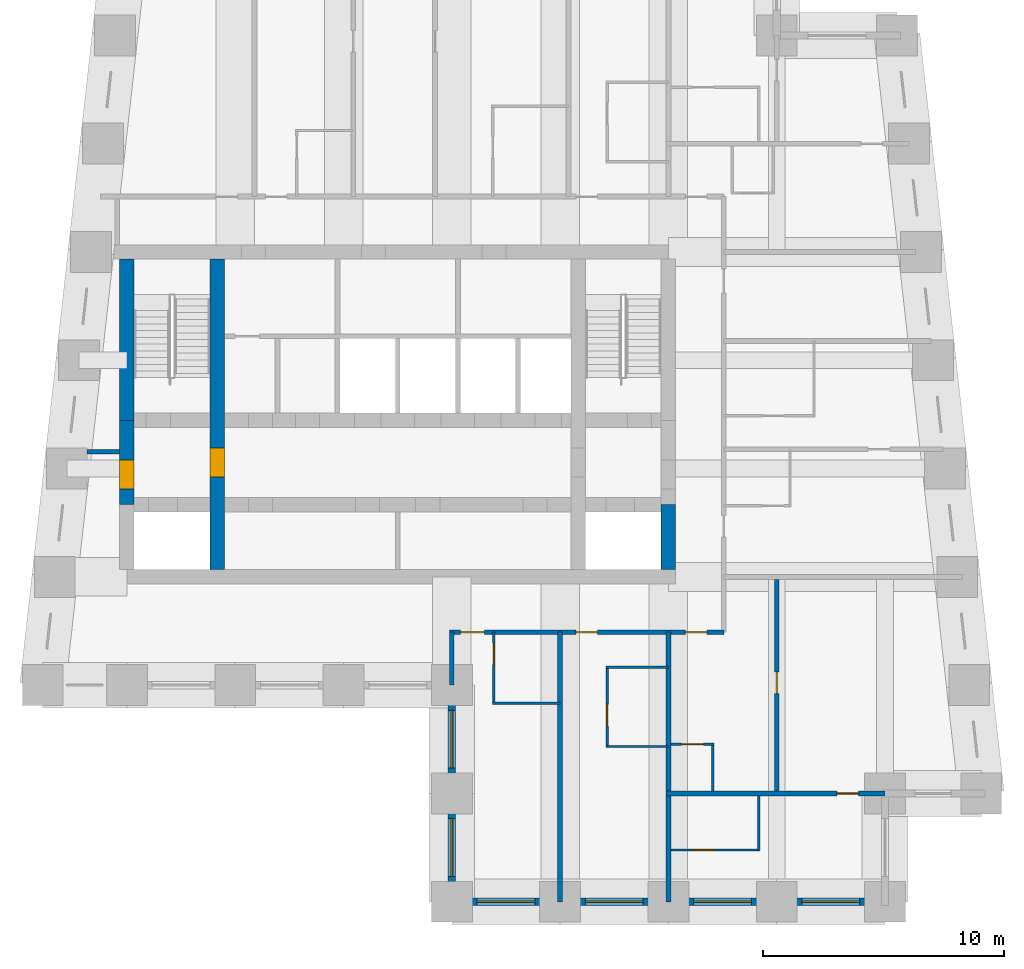
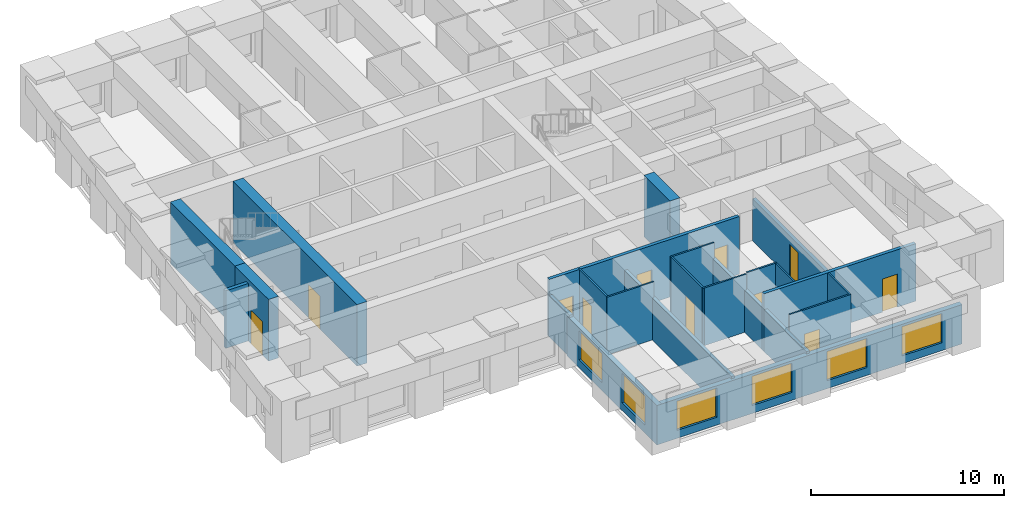
# One storey, part 2 of 7: 22 walls, 11 doors, 6 windows, 17 openings.
"""IFC4 building model written with IfcOpenShell, lengths in metres."""

from ifc_helpers import new_model, si_unit, direction, frame, frame_2d, origin, place, context, subcontext, project, spatial, rectangle, extrude, material, layer, layer_set, type_object, element, fill, save


model = new_model("IFC4")

# Units and contexts
model_context = context("Model", 3, precision=1e-05, world=origin(), true_north=direction((0.0, 1.0)))
body_context = subcontext(model_context, "Body", "Model", "MODEL_VIEW")
ifc_project = project(units=[si_unit("LENGTHUNIT", "METRE"), si_unit("AREAUNIT", "SQUARE_METRE"), si_unit("VOLUMEUNIT", "CUBIC_METRE"), si_unit("PLANEANGLEUNIT", "RADIAN"), si_unit("MASSUNIT", "GRAM", prefix="KILO")], contexts=[model_context])

# Site, building, storey
site_placement = place(None, origin())
site = spatial("IfcSite", under=ifc_project, at=site_placement, CompositionType="ELEMENT")
building_placement = place(site_placement, origin())
building = spatial("IfcBuilding", under=site, at=building_placement, Name="Kilele Tower Hotel", CompositionType="ELEMENT")
storey_placement = place(building_placement, frame((0.0, 0.0, 229.10009765625)))
storey = spatial("IfcBuildingStorey", under=building, at=storey_placement, Name="L59", CompositionType="ELEMENT", Elevation=229.10009765625)

# Wall
ifc_material_1 = material(Name="Moisture-resistant board")
ifc_layer_1 = layer(ifc_material_1, 0.10009765625)
ifc_layer_set_1 = layer_set([ifc_layer_1], Name="Moisture-resistant board")
wall_type_1 = type_object("IfcWallType", Name="Bathroom partition 100", PredefinedType="PLUMBINGWALL", material=ifc_layer_set_1)
wall_1_placement = place(storey_placement, frame((28.699951171875, 8.25, 0.0), z_axis=(0.0, 0.0, 1.0), x_axis=(1.0, 0.0, 0.0)))
element("IfcWall", 1, at=wall_1_placement, inside=storey, type_object=wall_type_1, Name="Bathroom partition 100 L59", PredefinedType="PLUMBINGWALL", context=body_context, shape_type="SweptSolid", body=[
    extrude(rectangle(XDim=2.800048828125, YDim=0.10009765625, at=frame_2d((1.39990234375, 0.0))), origin(), (0.0, 0.0, 1.0), 3.64990234375),
])

# Wall, opening, door
wall_2_placement = place(storey_placement, frame((28.75, 11.199951171875, 0.0), z_axis=(0.0, 0.0, 1.0), x_axis=(0.0, -1.0, 0.0)))
wall_2 = element("IfcWall", 2, at=wall_2_placement, inside=storey, type_object=wall_type_1, Name="Bathroom partition 100 L59", PredefinedType="PLUMBINGWALL", context=body_context, shape_type="SweptSolid", body=[
    extrude(rectangle(XDim=3.0, YDim=0.10009765625, at=frame_2d((1.5, 0.0))), origin(), (0.0, 0.0, 1.0), 3.64990234375),
])
opening_1_placement = place(wall_2_placement, frame((1.349853515625, 0.0, 0.0), z_axis=(0.0, 0.0, 1.0), x_axis=(-1.0, 0.0, 0.0)))
opening_1 = element("IfcOpeningElement", 3, at=opening_1_placement, cuts=wall_2, Name="Opening D2A", PredefinedType="OPENING", context=body_context, shape_type="SweptSolid", body=[
    extrude(rectangle(XDim=0.89990234375, YDim=2.10009765625, at=frame_2d((0.449951171875, 1.050048828125))), frame((0.0, 0.06005859375, 0.0), z_axis=(0.0, -1.0, 0.0), x_axis=(1.0, 0.0, 0.0)), (0.0, 0.0, 1.0), 0.1201171875),
])
ifc_material_2 = material(Name="Timber door leaf in hardwood frame", Category="wood")
door_type_1 = type_object("IfcDoorType", Name="Bathroom door 900", OperationType="SINGLE_SWING_LEFT", PredefinedType="DOOR", material=ifc_material_2)
door_1_placement = place(opening_1_placement, origin())
door_1 = element("IfcDoor", 4, at=door_1_placement, inside=storey, type_object=door_type_1, Name="Bathroom door 5902B", OperationType="SINGLE_SWING_RIGHT", OverallHeight=2.10009765625, OverallWidth=0.89990234375, PredefinedType="DOOR", context=body_context, shape_type="SweptSolid", body=[
    extrude(rectangle(XDim=0.89990234375, YDim=2.10009765625, at=frame_2d((0.449951171875, 1.050048828125))), frame((0.0, 0.02490234375, 0.0), z_axis=(0.0, -1.0, 0.0), x_axis=(1.0, 0.0, 0.0)), (0.0, 0.0, 1.0), 0.050048828125),
])
fill(opening_1, door_1)

# Walls
for number, where, z_axis, x_axis, name in (
    (5, (33.39990234375, 9.75, 0.0), (0.0, 0.0, 1.0), (1.0, 0.0, 0.0), "Bathroom partition 100 L59"),
    (6, (33.39990234375, 6.449951171875, 0.0), (0.0, 0.0, 1.0), (1.0, 0.0, 0.0), "Bathroom partition 100 L59"),
):
    element("IfcWall", number, at=place(storey_placement, frame(where, z_axis=z_axis, x_axis=x_axis)), inside=storey, type_object=wall_type_1, Name=name, PredefinedType="PLUMBINGWALL", context=body_context, shape_type="SweptSolid", body=[
        extrude(rectangle(XDim=2.60009765625, YDim=0.10009765625, at=frame_2d((1.300048828125, 0.0))), origin(), (0.0, 0.0, 1.0), 3.64990234375),
    ])

# Wall, opening, door
wall_3_placement = place(storey_placement, frame((33.449951171875, 9.800048828125, 0.0), z_axis=(0.0, 0.0, 1.0), x_axis=(0.0, -1.0, 0.0)))
wall_3 = element("IfcWall", 7, at=wall_3_placement, inside=storey, type_object=wall_type_1, Name="Bathroom partition 100 L59", PredefinedType="PLUMBINGWALL", context=body_context, shape_type="SweptSolid", body=[
    extrude(rectangle(XDim=3.400146484375, YDim=0.10009765625, at=frame_2d((1.7001953125, 0.0))), origin(), (0.0, 0.0, 1.0), 3.64990234375),
])
opening_2_placement = place(wall_3_placement, frame((2.5, 0.0, 0.0), z_axis=(0.0, 0.0, 1.0), x_axis=(-1.0, 0.0, 0.0)))
opening_2 = element("IfcOpeningElement", 8, at=opening_2_placement, cuts=wall_3, Name="Opening D2A", PredefinedType="OPENING", context=body_context, shape_type="SweptSolid", body=[
    extrude(rectangle(XDim=0.89990234375, YDim=2.10009765625, at=frame_2d((0.449951171875, 1.050048828125))), frame((0.0, 0.06005859375, 0.0), z_axis=(0.0, -1.0, 0.0), x_axis=(1.0, 0.0, 0.0)), (0.0, 0.0, 1.0), 0.1201171875),
])
door_2_placement = place(opening_2_placement, origin())
door_2 = element("IfcDoor", 9, at=door_2_placement, inside=storey, type_object=door_type_1, Name="Bathroom door 5903B", OperationType="SINGLE_SWING_LEFT", OverallHeight=2.10009765625, OverallWidth=0.89990234375, PredefinedType="DOOR", context=body_context, shape_type="SweptSolid", body=[
    extrude(rectangle(XDim=0.89990234375, YDim=2.10009765625, at=frame_2d((0.449951171875, 1.050048828125))), frame((0.0, 0.02490234375, 0.0), z_axis=(0.0, -1.0, 0.0), x_axis=(1.0, 0.0, 0.0)), (0.0, 0.0, 1.0), 0.050048828125),
])
fill(opening_2, door_2)

# Wall
wall_4_placement = place(storey_placement, frame((37.85009765625, 4.60009765625, 0.0), z_axis=(0.0, 0.0, 1.0), x_axis=(0.0, 1.0, 0.0)))
element("IfcWall", 10, at=wall_4_placement, inside=storey, type_object=wall_type_1, Name="Bathroom partition 100 L59", PredefinedType="PLUMBINGWALL", context=body_context, shape_type="SweptSolid", body=[
    extrude(rectangle(XDim=2.0, YDim=0.10009765625, at=frame_2d((1.0, 0.0))), origin(), (0.0, 0.0, 1.0), 3.64990234375),
])

# Wall, opening, door
wall_5_placement = place(storey_placement, frame((36.10009765625, 6.550048828125, 0.0), z_axis=(0.0, 0.0, 1.0), x_axis=(1.0, 0.0, 0.0)))
wall_5 = element("IfcWall", 11, at=wall_5_placement, inside=storey, type_object=wall_type_1, Name="Bathroom partition 100 L59", PredefinedType="PLUMBINGWALL", context=body_context, shape_type="SweptSolid", body=[
    extrude(rectangle(XDim=1.7998046875, YDim=0.10009765625, at=frame_2d((0.89990234375, 0.0))), origin(), (0.0, 0.0, 1.0), 3.64990234375),
])
opening_3_placement = place(wall_5_placement, frame((0.449951171875, 0.0, 0.0)))
opening_3 = element("IfcOpeningElement", 12, at=opening_3_placement, cuts=wall_5, Name="Opening D2A", PredefinedType="OPENING", context=body_context, shape_type="SweptSolid", body=[
    extrude(rectangle(XDim=0.89990234375, YDim=2.10009765625, at=frame_2d((0.449951171875, 1.050048828125))), frame((0.0, 0.06005859375, 0.0), z_axis=(0.0, -1.0, 0.0), x_axis=(1.0, 0.0, 0.0)), (0.0, 0.0, 1.0), 0.1201171875),
])
door_3_placement = place(opening_3_placement, origin())
door_3 = element("IfcDoor", 13, at=door_3_placement, inside=storey, type_object=door_type_1, Name="Bathroom door 5912P", OperationType="SINGLE_SWING_LEFT", OverallHeight=2.10009765625, OverallWidth=0.89990234375, PredefinedType="DOOR", context=body_context, shape_type="SweptSolid", body=[
    extrude(rectangle(XDim=0.89990234375, YDim=2.10009765625, at=frame_2d((0.449951171875, 1.050048828125))), frame((0.0, 0.02490234375, 0.0), z_axis=(0.0, -1.0, 0.0), x_axis=(1.0, 0.0, 0.0)), (0.0, 0.0, 1.0), 0.050048828125),
])
fill(opening_3, door_3)

# Wall
wall_6_placement = place(storey_placement, frame((39.75, 4.39990234375, 0.0), z_axis=(0.0, 0.0, 1.0), x_axis=(0.0, -1.0, 0.0)))
element("IfcWall", 14, at=wall_6_placement, inside=storey, type_object=wall_type_1, Name="Bathroom partition 100 L59", PredefinedType="PLUMBINGWALL", context=body_context, shape_type="SweptSolid", body=[
    extrude(rectangle(XDim=2.2998046875, YDim=0.10009765625, at=frame_2d((1.14990234375, 0.0))), origin(), (0.0, 0.0, 1.0), 3.64990234375),
])

# Wall, opening, door
wall_7_placement = place(storey_placement, frame((36.10009765625, 2.14990234375, 0.0), z_axis=(0.0, 0.0, 1.0), x_axis=(1.0, 0.0, 0.0)))
wall_7 = element("IfcWall", 15, at=wall_7_placement, inside=storey, type_object=wall_type_1, Name="Bathroom partition 100 L59", PredefinedType="PLUMBINGWALL", context=body_context, shape_type="SweptSolid", body=[
    extrude(rectangle(XDim=3.699951171875, YDim=0.10009765625, at=frame_2d((1.85009765625, 0.0))), origin(), (0.0, 0.0, 1.0), 3.64990234375),
])
opening_4_placement = place(wall_7_placement, frame((1.7998046875, 0.0, 0.0), z_axis=(0.0, 0.0, 1.0), x_axis=(-1.0, 0.0, 0.0)))
opening_4 = element("IfcOpeningElement", 16, at=opening_4_placement, cuts=wall_7, Name="Opening D2A", PredefinedType="OPENING", context=body_context, shape_type="SweptSolid", body=[
    extrude(rectangle(XDim=0.89990234375, YDim=2.10009765625, at=frame_2d((0.449951171875, 1.050048828125))), frame((0.0, 0.06005859375, 0.0), z_axis=(0.0, -1.0, 0.0), x_axis=(1.0, 0.0, 0.0)), (0.0, 0.0, 1.0), 0.1201171875),
])
door_4_placement = place(opening_4_placement, origin())
door_4 = element("IfcDoor", 17, at=door_4_placement, inside=storey, type_object=door_type_1, Name="Bathroom door 5914B", OperationType="SINGLE_SWING_RIGHT", OverallHeight=2.10009765625, OverallWidth=0.89990234375, PredefinedType="DOOR", context=body_context, shape_type="SweptSolid", body=[
    extrude(rectangle(XDim=0.89990234375, YDim=2.10009765625, at=frame_2d((0.449951171875, 1.050048828125))), frame((0.0, 0.02490234375, 0.0), z_axis=(0.0, -1.0, 0.0), x_axis=(1.0, 0.0, 0.0)), (0.0, 0.0, 1.0), 0.050048828125),
])
fill(opening_4, door_4)

ifc_material_3 = material(Name="Concrete C60/75", Category="concrete")
ifc_layer_2 = layer(ifc_material_3, 0.60009765625)
ifc_layer_set_2 = layer_set([ifc_layer_2], Name="Concrete C60/75")
wall_type_2 = type_object("IfcWallType", Name="Core wall 600 C60/75", PredefinedType="SHEAR", material=ifc_layer_set_2)
wall_8_placement = place(storey_placement, frame((17.25, 13.800048828125, 0.0), z_axis=(0.0, 0.0, 1.0), x_axis=(0.0, 1.0, 0.0)))
wall_8 = element("IfcWall", 18, at=wall_8_placement, inside=storey, type_object=wall_type_2, Name="Core wall IW L59", PredefinedType="SHEAR", context=body_context, shape_type="SweptSolid", body=[
    extrude(rectangle(XDim=12.89990234375, YDim=0.60009765625, at=frame_2d((6.449951171875, 0.0))), origin(), (0.0, 0.0, 1.0), 3.89990234375),
])
opening_5_placement = place(wall_8_placement, frame((3.85009765625, 0.0, 0.0)))
opening_5 = element("IfcOpeningElement", 19, at=opening_5_placement, cuts=wall_8, Name="Opening D4", PredefinedType="OPENING", context=body_context, shape_type="SweptSolid", body=[
    extrude(rectangle(XDim=1.199951171875, YDim=2.10009765625, at=frame_2d((0.60009765625, 1.050048828125))), frame((0.0, 0.31005859375, 0.0), z_axis=(0.0, -1.0, 0.0), x_axis=(1.0, 0.0, 0.0)), (0.0, 0.0, 1.0), 0.6201171875),
])
ifc_material_4 = material(Name="Timber door leaf in hardwood frame", Category="wood")
door_type_2 = type_object("IfcDoorType", Name="Firefighting lobby door 1200", OperationType="SINGLE_SWING_LEFT", PredefinedType="DOOR", material=ifc_material_4)
door_5_placement = place(opening_5_placement, origin())
door_5 = element("IfcDoor", 20, at=door_5_placement, inside=storey, type_object=door_type_2, Name="Lobby door L59", OperationType="SINGLE_SWING_LEFT", OverallHeight=2.10009765625, OverallWidth=1.199951171875, PredefinedType="DOOR", context=body_context, shape_type="SweptSolid", body=[
    extrude(rectangle(XDim=1.199951171875, YDim=2.10009765625, at=frame_2d((0.60009765625, 1.050048828125))), frame((0.0, 0.2998046875, 0.0), z_axis=(0.0, -1.0, 0.0), x_axis=(1.0, 0.0, 0.0)), (0.0, 0.0, 1.0), 0.599609375),
])
fill(opening_5, door_5)

# Wall
wall_9_placement = place(storey_placement, frame((13.5, 26.699951171875, 0.0), z_axis=(0.0, 0.0, 1.0), x_axis=(0.0, -1.0, 0.0)))
element("IfcWall", 21, at=wall_9_placement, inside=storey, type_object=wall_type_2, Name="Core wall W1 L59", PredefinedType="SHEAR", context=body_context, shape_type="SweptSolid", body=[
    extrude(rectangle(XDim=6.699951171875, YDim=0.60009765625, at=frame_2d((3.35009765625, 0.0))), origin(), (0.0, 0.0, 1.0), 3.89990234375),
])

# Wall, opening, door
wall_10_placement = place(storey_placement, frame((13.5, 20.0, 0.0), z_axis=(0.0, 0.0, 1.0), x_axis=(0.0, -1.0, 0.0)))
wall_10 = element("IfcWall", 22, at=wall_10_placement, inside=storey, type_object=wall_type_2, Name="Core wall W2 L59", PredefinedType="SHEAR", context=body_context, shape_type="SweptSolid", body=[
    extrude(rectangle(XDim=3.5, YDim=0.60009765625, at=frame_2d((1.75, 0.0))), origin(), (0.0, 0.0, 1.0), 3.89990234375),
])
opening_6_placement = place(wall_10_placement, frame((1.64990234375, 0.0, 0.0)))
opening_6 = element("IfcOpeningElement", 23, at=opening_6_placement, cuts=wall_10, Name="Opening D4", PredefinedType="OPENING", context=body_context, shape_type="SweptSolid", body=[
    extrude(rectangle(XDim=1.199951171875, YDim=2.10009765625, at=frame_2d((0.60009765625, 1.050048828125))), frame((0.0, 0.31005859375, 0.0), z_axis=(0.0, -1.0, 0.0), x_axis=(1.0, 0.0, 0.0)), (0.0, 0.0, 1.0), 0.6201171875),
])
door_6_placement = place(opening_6_placement, origin())
door_6 = element("IfcDoor", 24, at=door_6_placement, inside=storey, type_object=door_type_2, Name="Lobby door L59", OperationType="SINGLE_SWING_RIGHT", OverallHeight=2.10009765625, OverallWidth=1.199951171875, PredefinedType="DOOR", context=body_context, shape_type="SweptSolid", body=[
    extrude(rectangle(XDim=1.199951171875, YDim=2.10009765625, at=frame_2d((0.60009765625, 1.050048828125))), frame((0.0, 0.2998046875, 0.0), z_axis=(0.0, -1.0, 0.0), x_axis=(1.0, 0.0, 0.0)), (0.0, 0.0, 1.0), 0.599609375),
])
fill(opening_6, door_6)

# Wall
wall_11_placement = place(storey_placement, frame((36.0, 13.800048828125, 0.0), z_axis=(0.0, 0.0, 1.0), x_axis=(0.0, 1.0, 0.0)))
element("IfcWall", 25, at=wall_11_placement, inside=storey, type_object=wall_type_2, Name="Core wall E1 L59", PredefinedType="SHEAR", context=body_context, shape_type="SweptSolid", body=[
    extrude(rectangle(XDim=2.699951171875, YDim=0.60009765625, at=frame_2d((1.35009765625, 0.0))), origin(), (0.0, 0.0, 1.0), 3.89990234375),
])

# Wall, openings, doors
ifc_material_5 = material(Name="Blockwork, plastered both sides", Category="masonry")
ifc_layer_3 = layer(ifc_material_5, 0.199951171875)
ifc_layer_set_3 = layer_set([ifc_layer_3], Name="Blockwork, plastered both sides")
wall_type_3 = type_object("IfcWallType", Name="Corridor wall 200", PredefinedType="PARTITIONING", material=ifc_layer_set_3)
wall_12_placement = place(storey_placement, frame((26.89990234375, 11.199951171875, 0.0), z_axis=(0.0, 0.0, 1.0), x_axis=(1.0, 0.0, 0.0)))
wall_12 = element("IfcWall", 26, at=wall_12_placement, inside=storey, type_object=wall_type_3, Name="Corridor wall 200 L59", PredefinedType="PARTITIONING", context=body_context, shape_type="SweptSolid", body=[
    extrude(rectangle(XDim=11.400146484375, YDim=0.199951171875, at=frame_2d((5.7001953125, 0.0))), origin(), (0.0, 0.0, 1.0), 3.64990234375),
])
opening_7_placement = place(wall_12_placement, frame((1.449951171875, 0.0, 0.0), z_axis=(0.0, 0.0, 1.0), x_axis=(-1.0, 0.0, 0.0)))
opening_7 = element("IfcOpeningElement", 27, at=opening_7_placement, cuts=wall_12, Name="Opening D1A", PredefinedType="OPENING", context=body_context, shape_type="SweptSolid", body=[
    extrude(rectangle(XDim=1.0, YDim=2.10009765625, at=frame_2d((0.5, 1.050048828125))), frame((0.0, 0.10986328125, 0.0), z_axis=(0.0, -1.0, 0.0), x_axis=(1.0, 0.0, 0.0)), (0.0, 0.0, 1.0), 0.219970703125),
])
opening_8_placement = place(wall_12_placement, frame((6.14990234375, 0.0, 0.0), z_axis=(0.0, 0.0, 1.0), x_axis=(-1.0, 0.0, 0.0)))
opening_8 = element("IfcOpeningElement", 28, at=opening_8_placement, cuts=wall_12, Name="Opening D1", PredefinedType="OPENING", context=body_context, shape_type="SweptSolid", body=[
    extrude(rectangle(XDim=0.89990234375, YDim=2.10009765625, at=frame_2d((0.449951171875, 1.050048828125))), frame((0.0, 0.10986328125, 0.0), z_axis=(0.0, -1.0, 0.0), x_axis=(1.0, 0.0, 0.0)), (0.0, 0.0, 1.0), 0.219970703125),
])
opening_9_placement = place(wall_12_placement, frame((10.699951171875, 0.0, 0.0), z_axis=(0.0, 0.0, 1.0), x_axis=(-1.0, 0.0, 0.0)))
opening_9 = element("IfcOpeningElement", 29, at=opening_9_placement, cuts=wall_12, Name="Opening D1", PredefinedType="OPENING", context=body_context, shape_type="SweptSolid", body=[
    extrude(rectangle(XDim=0.89990234375, YDim=2.10009765625, at=frame_2d((0.449951171875, 1.050048828125))), frame((0.0, 0.10986328125, 0.0), z_axis=(0.0, -1.0, 0.0), x_axis=(1.0, 0.0, 0.0)), (0.0, 0.0, 1.0), 0.219970703125),
])
ifc_material_6 = material(Name="Timber door leaf in hardwood frame", Category="wood")
door_type_3 = type_object("IfcDoorType", Name="Guest room entrance door 1000", OperationType="SINGLE_SWING_LEFT", PredefinedType="DOOR", material=ifc_material_6)
door_7_placement = place(opening_7_placement, origin())
door_7 = element("IfcDoor", 30, at=door_7_placement, inside=storey, type_object=door_type_3, Name="Room entrance 5902", OperationType="SINGLE_SWING_RIGHT", OverallHeight=2.10009765625, OverallWidth=1.0, PredefinedType="DOOR", context=body_context, shape_type="SweptSolid", body=[
    extrude(rectangle(XDim=1.0, YDim=2.10009765625, at=frame_2d((0.5, 1.050048828125))), frame((0.0, 0.02490234375, 0.0), z_axis=(0.0, -1.0, 0.0), x_axis=(1.0, 0.0, 0.0)), (0.0, 0.0, 1.0), 0.050048828125),
])
fill(opening_7, door_7)
ifc_material_7 = material(Name="Timber door leaf in hardwood frame", Category="wood")
door_type_4 = type_object("IfcDoorType", Name="Guest room entrance door 900", OperationType="SINGLE_SWING_LEFT", PredefinedType="DOOR", material=ifc_material_7)
door_8_placement = place(opening_8_placement, origin())
door_8 = element("IfcDoor", 31, at=door_8_placement, inside=storey, type_object=door_type_4, Name="Room entrance 5903", OperationType="SINGLE_SWING_RIGHT", OverallHeight=2.10009765625, OverallWidth=0.89990234375, PredefinedType="DOOR", context=body_context, shape_type="SweptSolid", body=[
    extrude(rectangle(XDim=0.89990234375, YDim=2.10009765625, at=frame_2d((0.449951171875, 1.050048828125))), frame((0.0, 0.02490234375, 0.0), z_axis=(0.0, -1.0, 0.0), x_axis=(1.0, 0.0, 0.0)), (0.0, 0.0, 1.0), 0.050048828125),
])
fill(opening_8, door_8)
door_9_placement = place(opening_9_placement, origin())
door_9 = element("IfcDoor", 32, at=door_9_placement, inside=storey, type_object=door_type_4, Name="Room entrance 5912", OperationType="SINGLE_SWING_RIGHT", OverallHeight=2.10009765625, OverallWidth=0.89990234375, PredefinedType="DOOR", context=body_context, shape_type="SweptSolid", body=[
    extrude(rectangle(XDim=0.89990234375, YDim=2.10009765625, at=frame_2d((0.449951171875, 1.050048828125))), frame((0.0, 0.02490234375, 0.0), z_axis=(0.0, -1.0, 0.0), x_axis=(1.0, 0.0, 0.0)), (0.0, 0.0, 1.0), 0.050048828125),
])
fill(opening_9, door_9)

# Wall
ifc_material_8 = material(Name="Blockwork, plastered both sides", Category="masonry")
ifc_layer_4 = layer(ifc_material_8, 0.199951171875)
ifc_layer_set_4 = layer_set([ifc_layer_4], Name="Blockwork, plastered both sides")
wall_type_4 = type_object("IfcWallType", Name="Partition wall 200", PredefinedType="PARTITIONING", material=ifc_layer_set_4)
wall_13_placement = place(storey_placement, frame((13.199951171875, 18.699951171875, 0.0), z_axis=(0.0, 0.0, 1.0), x_axis=(-1.0, 0.0, 0.0)))
element("IfcWall", 33, at=wall_13_placement, inside=storey, type_object=wall_type_4, Name="Partition wall 200 L59", PredefinedType="PARTITIONING", context=body_context, shape_type="SweptSolid", body=[
    extrude(rectangle(XDim=1.349853515625, YDim=0.199951171875, at=frame_2d((0.6748046875, 0.0))), origin(), (0.0, 0.0, 1.0), 3.64990234375),
])

# Wall, opening, door
wall_14_placement = place(storey_placement, frame((40.5, 4.60009765625, 0.0), z_axis=(0.0, 0.0, 1.0), x_axis=(0.0, 1.0, 0.0)))
wall_14 = element("IfcWall", 34, at=wall_14_placement, inside=storey, type_object=wall_type_4, Name="Partition wall 200 L59", PredefinedType="PARTITIONING", context=body_context, shape_type="SweptSolid", body=[
    extrude(rectangle(XDim=8.7998046875, YDim=0.199951171875, at=frame_2d((4.39990234375, 0.0))), origin(), (0.0, 0.0, 1.0), 2.64990234375),
])
opening_10_placement = place(wall_14_placement, frame((4.050048828125, 0.0, 0.0)))
opening_10 = element("IfcOpeningElement", 35, at=opening_10_placement, cuts=wall_14, Name="Opening D3", PredefinedType="OPENING", context=body_context, shape_type="SweptSolid", body=[
    extrude(rectangle(XDim=0.89990234375, YDim=2.10009765625, at=frame_2d((0.449951171875, 1.050048828125))), frame((0.0, 0.10986328125, 0.0), z_axis=(0.0, -1.0, 0.0), x_axis=(1.0, 0.0, 0.0)), (0.0, 0.0, 1.0), 0.219970703125),
])
ifc_material_9 = material(Name="Timber door leaf in hardwood frame", Category="wood")
door_type_5 = type_object("IfcDoorType", Name="Suite internal door 900", OperationType="SINGLE_SWING_LEFT", PredefinedType="DOOR", material=ifc_material_9)
door_10_placement = place(opening_10_placement, origin())
door_10 = element("IfcDoor", 36, at=door_10_placement, inside=storey, type_object=door_type_5, Name="Suite door 5913", OperationType="SINGLE_SWING_RIGHT", OverallHeight=2.10009765625, OverallWidth=0.89990234375, PredefinedType="DOOR", context=body_context, shape_type="SweptSolid", body=[
    extrude(rectangle(XDim=0.89990234375, YDim=2.10009765625, at=frame_2d((0.449951171875, 1.050048828125))), frame((0.0, 0.02490234375, 0.0), z_axis=(0.0, -1.0, 0.0), x_axis=(1.0, 0.0, 0.0)), (0.0, 0.0, 1.0), 0.050048828125),
])
fill(opening_10, door_10)

# Walls
ifc_material_10 = material(Name="Blockwork, plastered both sides", Category="masonry")
ifc_layer_5 = layer(ifc_material_10, 0.199951171875)
ifc_layer_set_5 = layer_set([ifc_layer_5], Name="Blockwork, plastered both sides")
wall_type_5 = type_object("IfcWallType", Name="Party wall 200", PredefinedType="PARTITIONING", material=ifc_layer_set_5)
wall_15_placement = place(storey_placement, frame((27.0, 11.199951171875, 0.0), z_axis=(0.0, 0.0, 1.0), x_axis=(0.0, -1.0, 0.0)))
element("IfcWall", 37, at=wall_15_placement, inside=storey, type_object=wall_type_5, Name="Party wall 200 L59", PredefinedType="PARTITIONING", context=body_context, shape_type="SweptSolid", body=[
    extrude(rectangle(XDim=2.199951171875, YDim=0.199951171875, at=frame_2d((1.10009765625, 0.0))), origin(), (0.0, 0.0, 1.0), 2.64990234375),
])
for number, where, z_axis, x_axis, name in (
    (38, (31.5, 11.199951171875, 0.0), (0.0, 0.0, 1.0), (0.0, -1.0, 0.0), "Party wall 200 L59"),
    (39, (36.0, 11.199951171875, 0.0), (0.0, 0.0, 1.0), (0.0, -1.0, 0.0), "Party wall 200 L59"),
):
    element("IfcWall", number, at=place(storey_placement, frame(where, z_axis=z_axis, x_axis=x_axis)), inside=storey, type_object=wall_type_5, Name=name, PredefinedType="PARTITIONING", context=body_context, shape_type="SweptSolid", body=[
        extrude(rectangle(XDim=11.199951171875, YDim=0.199951171875, at=frame_2d((5.60009765625, 0.0))), origin(), (0.0, 0.0, 1.0), 2.64990234375),
    ])

# Wall, opening, door
wall_16_placement = place(storey_placement, frame((35.89990234375, 4.5, 0.0), z_axis=(0.0, 0.0, 1.0), x_axis=(1.0, 0.0, 0.0)))
wall_16 = element("IfcWall", 40, at=wall_16_placement, inside=storey, type_object=wall_type_5, Name="Party wall 200 L59", PredefinedType="PARTITIONING", context=body_context, shape_type="SweptSolid", body=[
    extrude(rectangle(XDim=9.10009765625, YDim=0.199951171875, at=frame_2d((4.550048828125, 0.0))), origin(), (0.0, 0.0, 1.0), 3.64990234375),
])
opening_11_placement = place(wall_16_placement, frame((7.10009765625, 0.0, 0.0)))
opening_11 = element("IfcOpeningElement", 41, at=opening_11_placement, cuts=wall_16, Name="Opening D3", PredefinedType="OPENING", context=body_context, shape_type="SweptSolid", body=[
    extrude(rectangle(XDim=0.89990234375, YDim=2.10009765625, at=frame_2d((0.449951171875, 1.050048828125))), frame((0.0, 0.10986328125, 0.0), z_axis=(0.0, -1.0, 0.0), x_axis=(1.0, 0.0, 0.0)), (0.0, 0.0, 1.0), 0.219970703125),
])
door_11_placement = place(opening_11_placement, origin())
door_11 = element("IfcDoor", 42, at=door_11_placement, inside=storey, type_object=door_type_5, Name="Suite door 5914", OperationType="SINGLE_SWING_RIGHT", OverallHeight=2.10009765625, OverallWidth=0.89990234375, PredefinedType="DOOR", context=body_context, shape_type="SweptSolid", body=[
    extrude(rectangle(XDim=0.89990234375, YDim=2.10009765625, at=frame_2d((0.449951171875, 1.050048828125))), frame((0.0, 0.02490234375, 0.0), z_axis=(0.0, -1.0, 0.0), x_axis=(1.0, 0.0, 0.0)), (0.0, 0.0, 1.0), 0.050048828125),
])
fill(opening_11, door_11)

# Wall, openings, windows
ifc_material_11 = material(Name="Concrete C40/50 precast", Category="concrete")
ifc_layer_6 = layer(ifc_material_11, 0.260009765625, Name="Precast backing", Category="LoadBearing")
ifc_material_12 = material(Name="Reconstituted stone finish", Category="masonry")
ifc_layer_7 = layer(ifc_material_12, 0.0400390625, Name="Face mix", Category="Finish")
ifc_layer_set_6 = layer_set([ifc_layer_6, ifc_layer_7], Name="Precast concrete C40/50, reconstituted stone finish")
wall_type_6 = type_object("IfcWallType", Name="Precast stone facade wall 300", PredefinedType="STANDARD", material=ifc_layer_set_6)
wall_17_placement = place(storey_placement, frame((27.0, 9.14990234375, 0.0), z_axis=(0.0, 0.0, 1.0), x_axis=(0.0, -1.0, 0.0)))
wall_17 = element("IfcWall", 43, at=wall_17_placement, inside=storey, type_object=wall_type_6, Name="Facade wall L59 edge 2", PredefinedType="STANDARD", context=body_context, shape_type="SweptSolid", body=[
    extrude(rectangle(XDim=9.2998046875, YDim=0.300048828125, at=frame_2d((4.64990234375, 0.0))), origin(), (0.0, 0.0, 1.0), 2.5),
])
opening_12_placement = place(wall_17_placement, frame((1.199951171875, 0.0, 0.5)))
opening_12 = element("IfcOpeningElement", 44, at=opening_12_placement, cuts=wall_17, Name="Opening W4", PredefinedType="OPENING", context=body_context, shape_type="SweptSolid", body=[
    extrude(rectangle(XDim=2.39990234375, YDim=1.85009765625, at=frame_2d((1.199951171875, 0.925048828125))), frame((0.0, 0.159912109375, 0.0), z_axis=(0.0, -1.0, 0.0), x_axis=(1.0, 0.0, 0.0)), (0.0, 0.0, 1.0), 0.320068359375),
])
opening_13_placement = place(wall_17_placement, frame((5.699951171875, 0.0, 0.5)))
opening_13 = element("IfcOpeningElement", 45, at=opening_13_placement, cuts=wall_17, Name="Opening W4", PredefinedType="OPENING", context=body_context, shape_type="SweptSolid", body=[
    extrude(rectangle(XDim=2.39990234375, YDim=1.85009765625, at=frame_2d((1.199951171875, 0.925048828125))), frame((0.0, 0.159912109375, 0.0), z_axis=(0.0, -1.0, 0.0), x_axis=(1.0, 0.0, 0.0)), (0.0, 0.0, 1.0), 0.320068359375),
])
ifc_material_13 = material(Name="Aluminium frame, clear double glazing", Category="aluminium")
window_type = type_object("IfcWindowType", Name="Window W4 2400 x 1850", PartitioningType="SINGLE_PANEL", PredefinedType="WINDOW", material=ifc_material_13)
window_1_placement = place(opening_12_placement, origin())
window_1 = element("IfcWindow", 46, at=window_1_placement, inside=storey, type_object=window_type, Name="Window L59", OverallHeight=1.85009765625, OverallWidth=2.39990234375, PartitioningType="SINGLE_PANEL", PredefinedType="WINDOW", context=body_context, shape_type="SweptSolid", body=[
    extrude(rectangle(XDim=2.39990234375, YDim=1.85009765625, at=frame_2d((1.199951171875, 0.925048828125))), frame((0.0, 0.030029296875, 0.0), z_axis=(0.0, -1.0, 0.0), x_axis=(1.0, 0.0, 0.0)), (0.0, 0.0, 1.0), 0.06005859375),
])
fill(opening_12, window_1)
window_2_placement = place(opening_13_placement, origin())
window_2 = element("IfcWindow", 47, at=window_2_placement, inside=storey, type_object=window_type, Name="Window L59", OverallHeight=1.85009765625, OverallWidth=2.39990234375, PartitioningType="SINGLE_PANEL", PredefinedType="WINDOW", context=body_context, shape_type="SweptSolid", body=[
    extrude(rectangle(XDim=2.39990234375, YDim=1.85009765625, at=frame_2d((1.199951171875, 0.925048828125))), frame((0.0, 0.030029296875, 0.0), z_axis=(0.0, -1.0, 0.0), x_axis=(1.0, 0.0, 0.0)), (0.0, 0.0, 1.0), 0.06005859375),
])
fill(opening_13, window_2)

wall_18_placement = place(storey_placement, frame((26.85009765625, 0.0, 0.0), z_axis=(0.0, 0.0, 1.0), x_axis=(1.0, 0.0, 0.0)))
wall_18 = element("IfcWall", 48, at=wall_18_placement, inside=storey, type_object=wall_type_6, Name="Facade wall L59 edge 3", PredefinedType="STANDARD", context=body_context, shape_type="SweptSolid", body=[
    extrude(rectangle(XDim=18.2998046875, YDim=0.300048828125, at=frame_2d((9.14990234375, 0.0))), origin(), (0.0, 0.0, 1.0), 2.5),
])
opening_14_placement = place(wall_18_placement, frame((1.199951171875, 0.0, 0.5)))
opening_14 = element("IfcOpeningElement", 49, at=opening_14_placement, cuts=wall_18, Name="Opening W4", PredefinedType="OPENING", context=body_context, shape_type="SweptSolid", body=[
    extrude(rectangle(XDim=2.39990234375, YDim=1.85009765625, at=frame_2d((1.199951171875, 0.925048828125))), frame((0.0, 0.159912109375, 0.0), z_axis=(0.0, -1.0, 0.0), x_axis=(1.0, 0.0, 0.0)), (0.0, 0.0, 1.0), 0.320068359375),
])
opening_15_placement = place(wall_18_placement, frame((5.699951171875, 0.0, 0.5)))
opening_15 = element("IfcOpeningElement", 50, at=opening_15_placement, cuts=wall_18, Name="Opening W4", PredefinedType="OPENING", context=body_context, shape_type="SweptSolid", body=[
    extrude(rectangle(XDim=2.39990234375, YDim=1.85009765625, at=frame_2d((1.199951171875, 0.925048828125))), frame((0.0, 0.159912109375, 0.0), z_axis=(0.0, -1.0, 0.0), x_axis=(1.0, 0.0, 0.0)), (0.0, 0.0, 1.0), 0.320068359375),
])
opening_16_placement = place(wall_18_placement, frame((10.199951171875, 0.0, 0.5)))
opening_16 = element("IfcOpeningElement", 51, at=opening_16_placement, cuts=wall_18, Name="Opening W4", PredefinedType="OPENING", context=body_context, shape_type="SweptSolid", body=[
    extrude(rectangle(XDim=2.39990234375, YDim=1.85009765625, at=frame_2d((1.199951171875, 0.925048828125))), frame((0.0, 0.159912109375, 0.0), z_axis=(0.0, -1.0, 0.0), x_axis=(1.0, 0.0, 0.0)), (0.0, 0.0, 1.0), 0.320068359375),
])
opening_17_placement = place(wall_18_placement, frame((14.699951171875, 0.0, 0.5)))
opening_17 = element("IfcOpeningElement", 52, at=opening_17_placement, cuts=wall_18, Name="Opening W4", PredefinedType="OPENING", context=body_context, shape_type="SweptSolid", body=[
    extrude(rectangle(XDim=2.39990234375, YDim=1.85009765625, at=frame_2d((1.199951171875, 0.925048828125))), frame((0.0, 0.159912109375, 0.0), z_axis=(0.0, -1.0, 0.0), x_axis=(1.0, 0.0, 0.0)), (0.0, 0.0, 1.0), 0.320068359375),
])
window_3_placement = place(opening_14_placement, origin())
window_3 = element("IfcWindow", 53, at=window_3_placement, inside=storey, type_object=window_type, Name="Window L59", OverallHeight=1.85009765625, OverallWidth=2.39990234375, PartitioningType="SINGLE_PANEL", PredefinedType="WINDOW", context=body_context, shape_type="SweptSolid", body=[
    extrude(rectangle(XDim=2.39990234375, YDim=1.85009765625, at=frame_2d((1.199951171875, 0.925048828125))), frame((0.0, 0.030029296875, 0.0), z_axis=(0.0, -1.0, 0.0), x_axis=(1.0, 0.0, 0.0)), (0.0, 0.0, 1.0), 0.06005859375),
])
fill(opening_14, window_3)
window_4_placement = place(opening_15_placement, origin())
window_4 = element("IfcWindow", 54, at=window_4_placement, inside=storey, type_object=window_type, Name="Window L59", OverallHeight=1.85009765625, OverallWidth=2.39990234375, PartitioningType="SINGLE_PANEL", PredefinedType="WINDOW", context=body_context, shape_type="SweptSolid", body=[
    extrude(rectangle(XDim=2.39990234375, YDim=1.85009765625, at=frame_2d((1.199951171875, 0.925048828125))), frame((0.0, 0.030029296875, 0.0), z_axis=(0.0, -1.0, 0.0), x_axis=(1.0, 0.0, 0.0)), (0.0, 0.0, 1.0), 0.06005859375),
])
fill(opening_15, window_4)
window_5_placement = place(opening_16_placement, origin())
window_5 = element("IfcWindow", 55, at=window_5_placement, inside=storey, type_object=window_type, Name="Window L59", OverallHeight=1.85009765625, OverallWidth=2.39990234375, PartitioningType="SINGLE_PANEL", PredefinedType="WINDOW", context=body_context, shape_type="SweptSolid", body=[
    extrude(rectangle(XDim=2.39990234375, YDim=1.85009765625, at=frame_2d((1.199951171875, 0.925048828125))), frame((0.0, 0.030029296875, 0.0), z_axis=(0.0, -1.0, 0.0), x_axis=(1.0, 0.0, 0.0)), (0.0, 0.0, 1.0), 0.06005859375),
])
fill(opening_16, window_5)
window_6_placement = place(opening_17_placement, origin())
window_6 = element("IfcWindow", 56, at=window_6_placement, inside=storey, type_object=window_type, Name="Window L59", OverallHeight=1.85009765625, OverallWidth=2.39990234375, PartitioningType="SINGLE_PANEL", PredefinedType="WINDOW", context=body_context, shape_type="SweptSolid", body=[
    extrude(rectangle(XDim=2.39990234375, YDim=1.85009765625, at=frame_2d((1.199951171875, 0.925048828125))), frame((0.0, 0.030029296875, 0.0), z_axis=(0.0, -1.0, 0.0), x_axis=(1.0, 0.0, 0.0)), (0.0, 0.0, 1.0), 0.06005859375),
])
fill(opening_17, window_6)

save(model, "model.ifc")
